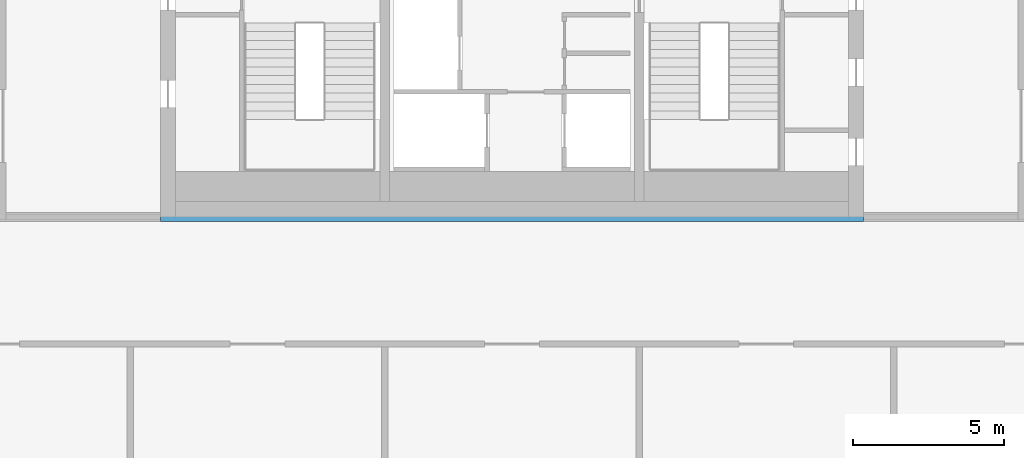
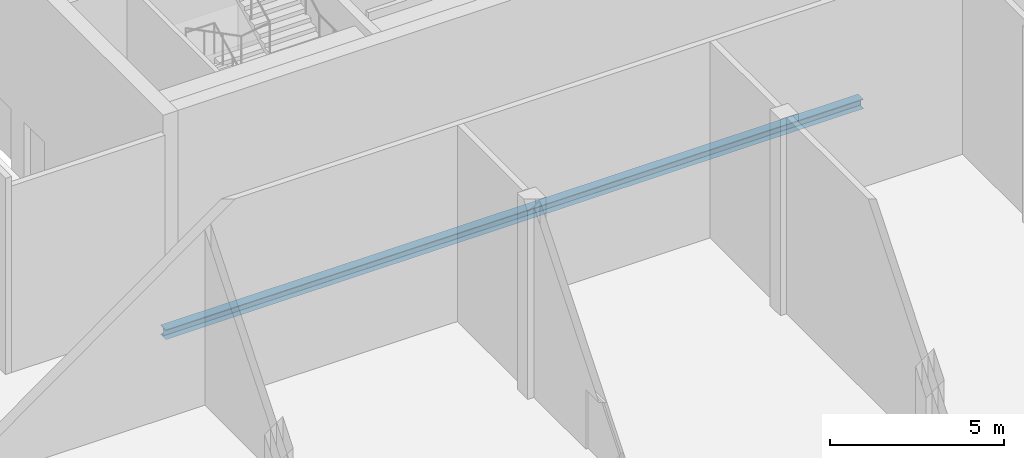
# One storey, part 9 of 23: 1 beam.
"""IFC4 building model written with IfcOpenShell, lengths in metres."""

import ifcopenshell
import ifcopenshell.guid

model = None  # the IFC model being written
_history = None  # IfcOwnerHistory: only IFC2X3 demands one
_inside = {}  # id of a spatial element -> (the spatial element, [elements in it])
_under = {}  # id of a project, library or spatial element -> (it, [spatial elements below it])
_declared = {}  # id of a project -> (the project, [libraries it declares])
_typed = {}  # id of a type object -> (the type object, [elements of that type])
_made_of = {}  # id of a material, layer set ... -> (it, [elements and type objects made of it])


def new_model(schema):
    """Start an empty IFC model of exactly this schema.

    Asked for "IFC4X3", IfcOpenShell would pick the latest addendum, in which some entities
    have other attributes; the version numbers below select the first issue.
    IFC2X3 requires an IfcOwnerHistory on every rooted entity: one is made here for all.
    """
    global model, _history
    if schema == "IFC4X3":
        model = ifcopenshell.file(schema_version=(4, 3, 0, 0))
    else:
        model = ifcopenshell.file(schema=schema)
    _inside.clear()
    _under.clear()
    _declared.clear()
    _typed.clear()
    _made_of.clear()
    _history = None
    if model.schema == "IFC2X3":
        org = make("IfcOrganization", Name="unknown")
        user = make(
            "IfcPersonAndOrganization",
            ThePerson=make("IfcPerson", FamilyName="unknown"),
            TheOrganization=org,
        )
        app = make(
            "IfcApplication",
            ApplicationDeveloper=org,
            Version="unknown",
            ApplicationFullName="unknown",
            ApplicationIdentifier="unknown",
        )
        _history = make(
            "IfcOwnerHistory",
            OwningUser=user,
            OwningApplication=app,
            ChangeAction="ADDED",
            CreationDate=0,
        )
    return model


def make(cls, **values):
    """One entity of the class cls with the attributes given. An attribute that is None is left unset."""
    return model.create_entity(
        cls, **{name: value for name, value in values.items() if value is not None}
    )


def rooted(cls, **values):
    """An entity with a GlobalId (a new one), such as an element, a storey or a relation."""
    return make(cls, GlobalId=ifcopenshell.guid.new(), OwnerHistory=_history, **values)


def si_unit(unit_type, name, prefix=None):
    """IfcSIUnit, for example si_unit("LENGTHUNIT", "METRE", prefix="MILLI")."""
    return make("IfcSIUnit", UnitType=unit_type, Prefix=prefix, Name=name)


def assignment(units):
    """IfcUnitAssignment: the units of a project."""
    return None if units is None else make("IfcUnitAssignment", Units=units)


def point(xyz):
    """IfcCartesianPoint."""
    return None if xyz is None else make("IfcCartesianPoint", Coordinates=xyz)


def direction(xyz):
    """IfcDirection."""
    return None if xyz is None else make("IfcDirection", DirectionRatios=xyz)


def frame(location, z_axis=None, x_axis=None):
    """IfcAxis2Placement3D, a coordinate frame: its origin and axes. An axis left out is left unset."""
    return make(
        "IfcAxis2Placement3D",
        Location=point(location),
        Axis=direction(z_axis),
        RefDirection=direction(x_axis),
    )


def frame_2d(location, x_axis=None):
    """IfcAxis2Placement2D, a coordinate frame in the plane: its origin and x axis."""
    return make(
        "IfcAxis2Placement2D", Location=point(location), RefDirection=direction(x_axis)
    )


def origin():
    """The frame at (0, 0, 0) with its axes left unset."""
    return frame((0.0, 0.0, 0.0))


def origin_2d():
    """The frame at (0, 0) in the plane with its x axis left unset."""
    return frame_2d((0.0, 0.0))


def place(relative_to, where):
    """IfcLocalPlacement: puts the frame where relative to a parent placement (None: the world)."""
    return make(
        "IfcLocalPlacement", PlacementRelTo=relative_to, RelativePlacement=where
    )


def context(
    kind, dimensions, precision=None, world=None, true_north=None, identifier=None
):
    """IfcGeometricRepresentationContext, for example the 3D "Model" context."""
    return make(
        "IfcGeometricRepresentationContext",
        ContextIdentifier=identifier,
        ContextType=kind,
        CoordinateSpaceDimension=dimensions,
        Precision=precision,
        WorldCoordinateSystem=world,
        TrueNorth=true_north,
    )


def subcontext(parent, identifier, kind, view, scale=None):
    """IfcGeometricRepresentationSubContext, for example "Body" below "Model"."""
    return make(
        "IfcGeometricRepresentationSubContext",
        ContextIdentifier=identifier,
        ContextType=kind,
        ParentContext=parent,
        TargetScale=scale,
        TargetView=view,
    )


def project(units=None, contexts=None):
    """IfcProject with its units and contexts."""
    return rooted(
        "IfcProject",
        Name="project",
        RepresentationContexts=contexts,
        UnitsInContext=assignment(units),
    )


def spatial(cls, under=None, at=None, **own):
    """A site, building, storey or space (cls), placed at a placement, below another one or the project."""
    s = rooted(cls, ObjectPlacement=at, **own)
    if under is not None:
        _under.setdefault(under.id(), (under, []))[1].append(s)
    return s


def profile(cls, at=None, kind="AREA", **sizes):
    """A parametric profile (cls). Its sizes go by their IFC names, for example OverallWidth=200.0."""
    return make(cls, ProfileType=kind, Position=at, **sizes)


def i_section(**sizes):
    """IfcIShapeProfileDef."""
    return profile("IfcIShapeProfileDef", **sizes)


def extrude(swept, where, along, depth):
    """IfcExtrudedAreaSolid: the profile swept, set in the frame where, extruded along a direction by depth."""
    return make(
        "IfcExtrudedAreaSolid",
        SweptArea=swept,
        Position=where,
        ExtrudedDirection=direction(along),
        Depth=depth,
    )


def shape(context_of_items, identifier, shape_type, items):
    """IfcShapeRepresentation: the items that make up one representation, for example the "Body"."""
    return make(
        "IfcShapeRepresentation",
        ContextOfItems=context_of_items,
        RepresentationIdentifier=identifier,
        RepresentationType=shape_type,
        Items=items,
    )


def material(Name=None, Category=None):
    """IfcMaterial."""
    return make("IfcMaterial", Name=Name, Category=Category)


def material_profile(
    of_material, cross_section, Name=None, Category=None, Priority=None
):
    """IfcMaterialProfile: a cross section and its material."""
    return make(
        "IfcMaterialProfile",
        Name=Name,
        Material=of_material,
        Profile=cross_section,
        Priority=Priority,
        Category=Category,
    )


def profile_set(profiles, Name=None, composite=None):
    """IfcMaterialProfileSet."""
    return make(
        "IfcMaterialProfileSet",
        Name=Name,
        MaterialProfiles=profiles,
        CompositeProfile=composite,
    )


def made_of(thing, what):
    """Note that an element or type object is made of a material, layer set ...; save() writes the relation."""
    if what is not None:
        _made_of.setdefault(what.id(), (what, []))[1].append(thing)
    return thing


def type_object(cls, material=None, **own):
    """A type object (cls), such as IfcWallType, which elements share."""
    return made_of(rooted(cls, **own), material)


def element(
    cls,
    number,
    at=None,
    inside=None,
    cuts=None,
    type_object=None,
    material=None,
    context=None,
    identifier="Body",
    shape_type=None,
    held_by="IfcProductDefinitionShape",
    body=None,
    shapes=None,
    **own,
):
    """One element of the class cls, such as IfcWall. Its Tag is "e" and its number.

    at: its placement. inside: the storey or other place that contains it. cuts: it is an
    opening in that element (IfcRelVoidsElement). A single representation is given by context,
    identifier, shape_type and body (its items); several are given by shapes. held_by: the class
    of the entity that holds the representations. save() writes the other relations.
    """
    e = rooted(cls, Tag="e%d" % number, ObjectPlacement=at, **own)
    if body is not None:
        shapes = [shape(context, identifier, shape_type, body)]
    if shapes is not None:
        e.Representation = make(held_by, Representations=shapes)
    if inside is not None:
        _inside.setdefault(inside.id(), (inside, []))[1].append(e)
    if cuts is not None:
        rooted(
            "IfcRelVoidsElement", RelatingBuildingElement=cuts, RelatedOpeningElement=e
        )
    if type_object is not None:
        _typed.setdefault(type_object.id(), (type_object, []))[1].append(e)
    return made_of(e, material)


def aggregate(whole, parts):
    """IfcRelAggregates: a whole, such as a stair, and the parts it consists of."""
    return rooted("IfcRelAggregates", RelatingObject=whole, RelatedObjects=parts)


def save(model, path):
    """Write the relations noted so far, then the file.

    IfcRelAggregates (storeys below a building ...), IfcRelContainedInSpatialStructure (elements
    in a storey), IfcRelDefinesByType, IfcRelAssociatesMaterial and IfcRelDeclares: one each for
    every whole, place, type object, material and project.
    """
    for whole, parts in _under.values():
        aggregate(whole, parts)
    for where, things in _inside.values():
        rooted(
            "IfcRelContainedInSpatialStructure",
            RelatedElements=things,
            RelatingStructure=where,
        )
    for kind, things in _typed.values():
        rooted("IfcRelDefinesByType", RelatedObjects=things, RelatingType=kind)
    for what, things in _made_of.values():
        rooted("IfcRelAssociatesMaterial", RelatedObjects=things, RelatingMaterial=what)
    for by, libraries in _declared.values():
        rooted("IfcRelDeclares", RelatingContext=by, RelatedDefinitions=libraries)
    model.write(path)


model = new_model("IFC4")

# Units and contexts
model_context = context("Model", 3, precision=1e-05, world=origin(), true_north=direction((0.0, 1.0)))
body_context = subcontext(model_context, "Body", "Model", "MODEL_VIEW")
ifc_project = project(units=[si_unit("LENGTHUNIT", "METRE"), si_unit("AREAUNIT", "SQUARE_METRE"), si_unit("VOLUMEUNIT", "CUBIC_METRE"), si_unit("PLANEANGLEUNIT", "RADIAN"), si_unit("MASSUNIT", "GRAM", prefix="KILO")], contexts=[model_context])

# Site, building, storey
site_placement = place(None, origin())
site = spatial("IfcSite", under=ifc_project, at=site_placement, CompositionType="ELEMENT")
building_placement = place(site_placement, origin())
building = spatial("IfcBuilding", under=site, at=building_placement, Name="Marenta Gate Hotel Tower", CompositionType="ELEMENT")
storey_placement = place(building_placement, frame((0.0, 0.0, 288.5)))
storey = spatial("IfcBuildingStorey", under=building, at=storey_placement, Name="L66", CompositionType="ELEMENT", Elevation=288.5)

# Beam
ifc_material = material(Name="Steel S355", Category="steel")
ifc_material_profile = material_profile(ifc_material, i_section(OverallWidth=0.300048828125, OverallDepth=0.340087890625, WebThickness=0.011962890625, FlangeThickness=0.021484375, FilletRadius=0.027099609375, at=origin_2d()), Name="HEB 340")
ifc_profile_set = profile_set([ifc_material_profile], Name="Steel S355")
beam_type = type_object("IfcBeamType", Name="Girder HEB 340", PredefinedType="BEAM", material=ifc_profile_set)
beam_placement = place(storey_placement, frame((-11.60009765625, 0.0, -0.429931640625), z_axis=(1.0, 0.0, 0.0), x_axis=(0.0, 1.0, 0.0)))
element("IfcBeam", 1, at=beam_placement, inside=storey, type_object=beam_type, Name="L66-GD-17", PredefinedType="BEAM", context=body_context, shape_type="SweptSolid", body=[
    extrude(i_section(OverallWidth=0.300048828125, OverallDepth=0.340087890625, WebThickness=0.011962890625, FlangeThickness=0.021484375, FilletRadius=0.027099609375, at=origin_2d()), origin(), (0.0, 0.0, 1.0), 23.2001953125),
])

save(model, "model.ifc")
